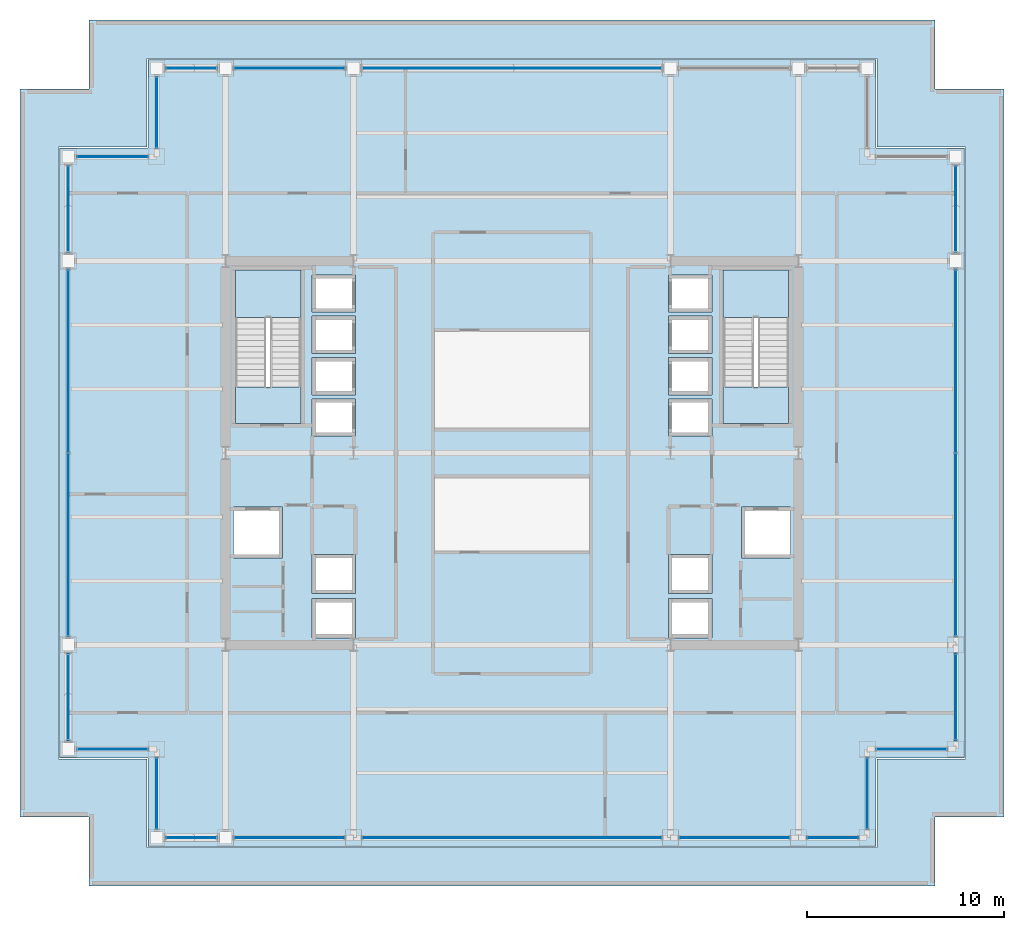
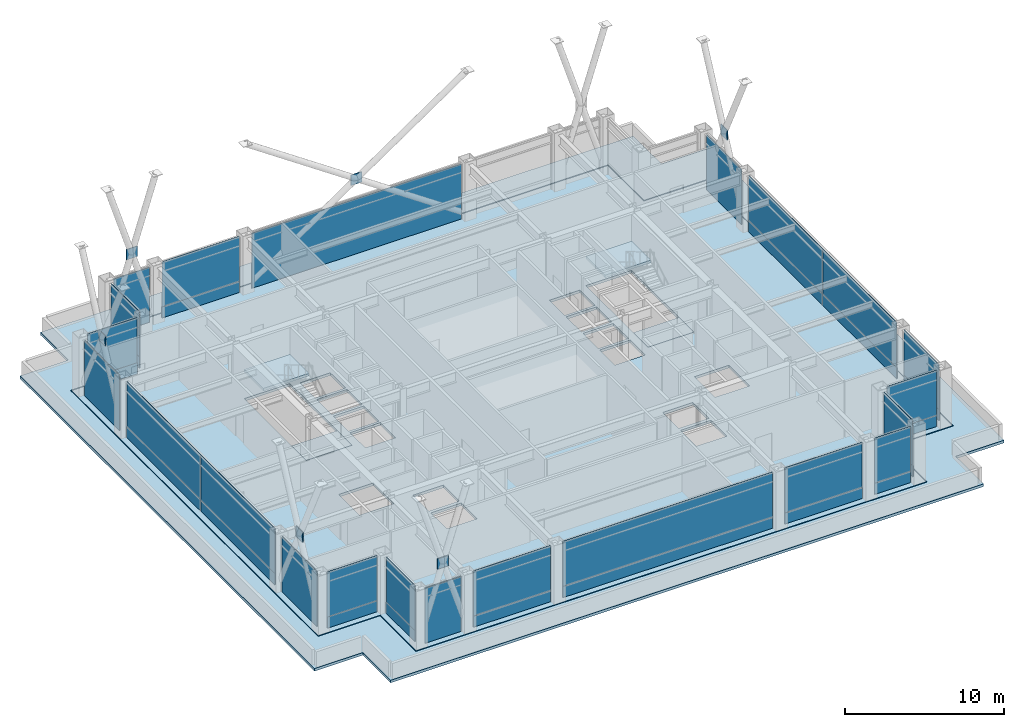
# One storey, part 27 of 32: 44 plates, 6 slabs, 22 elements without a shape of their own.
"""IFC4 building model written with IfcOpenShell, lengths in metres."""

from ifc_helpers import new_model, si_unit, direction, frame, origin, origin_2d, place, context, subcontext, project, spatial, polyline, rectangle, outline, extrude, material, layer, layer_set, type_object, element, aggregate, save


model = new_model("IFC4")

# Units and contexts
model_context = context("Model", 3, precision=1e-05, world=origin(), true_north=direction((0.0, 1.0)))
body_context = subcontext(model_context, "Body", "Model", "MODEL_VIEW")
ifc_project = project(units=[si_unit("LENGTHUNIT", "METRE"), si_unit("AREAUNIT", "SQUARE_METRE"), si_unit("VOLUMEUNIT", "CUBIC_METRE"), si_unit("PLANEANGLEUNIT", "RADIAN"), si_unit("MASSUNIT", "GRAM", prefix="KILO")], contexts=[model_context])

# Site, building, storey
site_placement = place(None, origin())
site = spatial("IfcSite", under=ifc_project, at=site_placement, CompositionType="ELEMENT")
building_placement = place(site_placement, origin())
building = spatial("IfcBuilding", under=site, at=building_placement, Name="Brelmoor Portico Tower", CompositionType="ELEMENT")
storey_placement = place(building_placement, frame((0.0, 0.0, 87.300048828125)))
storey = spatial("IfcBuildingStorey", under=building, at=storey_placement, Name="L22", CompositionType="ELEMENT", Elevation=87.300048828125)

# Curtain wall, plate
ifc_material_1 = material(Name="Anodised Aluminium Alloy 6063-T6", Category="aluminium")
ifc_layer_1 = layer(ifc_material_1, 0.179931640625)
ifc_layer_set_1 = layer_set([ifc_layer_1], Name="Anodised Aluminium Alloy 6063-T6")
curtain_wall_type_1 = type_object("IfcCurtainWallType", Name="CW-SKYLOBBY", PredefinedType="NOTDEFINED", material=ifc_layer_set_1)
curtain_wall_1_placement = place(storey_placement, origin())
curtain_wall_1 = element("IfcCurtainWall", 1, at=curtain_wall_1_placement, inside=storey, type_object=curtain_wall_type_1, Name="L22 Curtain Wall CW-L22-01-2", PredefinedType="NOTDEFINED")
ifc_material_2 = material(Name="Double-Silver Low-E Insulated Glazing", Category="glass")
ifc_layer_2 = layer(ifc_material_2, 0.035888671875)
ifc_layer_set_2 = layer_set([ifc_layer_2], Name="Double-Silver Low-E Insulated Glazing")
plate_type_1 = type_object("IfcPlateType", Name="PT-CW-GLASS", PredefinedType="CURTAIN_PANEL", material=ifc_layer_set_2)
plate_1_placement = place(storey_placement, frame((-11.300048828125, -19.550048828125, 0.85009765625), z_axis=(0.0, 0.0, 1.0), x_axis=(1.0, 0.0, 0.0)))
plate_1 = element("IfcPlate", 2, at=plate_1_placement, type_object=plate_type_1, Name="CW-L22-01-2 Vision Glass Panel 00", PredefinedType="CURTAIN_PANEL", context=body_context, shape_type="SweptSolid", body=[
    extrude(rectangle(XDim=5.60009765625, YDim=0.035888671875, at=origin_2d()), origin(), (0.0, 0.0, 1.0), 3.449951171875),
])

curtain_wall_2_placement = place(storey_placement, origin())
curtain_wall_2 = element("IfcCurtainWall", 3, at=curtain_wall_2_placement, inside=storey, type_object=curtain_wall_type_1, Name="L22 Curtain Wall CW-L22-01-3", PredefinedType="NOTDEFINED")
plate_2_placement = place(storey_placement, frame((0.0, -19.550048828125, 0.85009765625), z_axis=(0.0, 0.0, 1.0), x_axis=(1.0, 0.0, 0.0)))
plate_2 = element("IfcPlate", 4, at=plate_2_placement, type_object=plate_type_1, Name="CW-L22-01-3 Vision Glass Panel 00", PredefinedType="CURTAIN_PANEL", context=body_context, shape_type="SweptSolid", body=[
    extrude(rectangle(XDim=15.199951171875, YDim=0.035888671875, at=origin_2d()), origin(), (0.0, 0.0, 1.0), 3.449951171875),
])

curtain_wall_3_placement = place(storey_placement, origin())
curtain_wall_3 = element("IfcCurtainWall", 5, at=curtain_wall_3_placement, inside=storey, type_object=curtain_wall_type_1, Name="L22 Curtain Wall CW-L22-01-4", PredefinedType="NOTDEFINED")
plate_3_placement = place(storey_placement, frame((11.300048828125, -19.550048828125, 0.85009765625), z_axis=(0.0, 0.0, 1.0), x_axis=(1.0, 0.0, 0.0)))
plate_3 = element("IfcPlate", 6, at=plate_3_placement, type_object=plate_type_1, Name="CW-L22-01-4 Vision Glass Panel 00", PredefinedType="CURTAIN_PANEL", context=body_context, shape_type="SweptSolid", body=[
    extrude(rectangle(XDim=5.60009765625, YDim=0.035888671875, at=origin_2d()), origin(), (0.0, 0.0, 1.0), 3.449951171875),
])

curtain_wall_4_placement = place(storey_placement, origin())
curtain_wall_4 = element("IfcCurtainWall", 7, at=curtain_wall_4_placement, inside=storey, type_object=curtain_wall_type_1, Name="L22 Curtain Wall CW-L22-01-5", PredefinedType="NOTDEFINED")
plate_4_placement = place(storey_placement, frame((16.300048828125, -19.550048828125, 0.85009765625), z_axis=(0.0, 0.0, 1.0), x_axis=(1.0, 0.0, 0.0)))
plate_4 = element("IfcPlate", 8, at=plate_4_placement, type_object=plate_type_1, Name="CW-L22-01-5 Vision Glass Panel 00", PredefinedType="CURTAIN_PANEL", context=body_context, shape_type="SweptSolid", body=[
    extrude(rectangle(XDim=2.60009765625, YDim=0.035888671875, at=origin_2d()), origin(), (0.0, 0.0, 1.0), 3.449951171875),
])

curtain_wall_5_placement = place(storey_placement, origin())
curtain_wall_5 = element("IfcCurtainWall", 9, at=curtain_wall_5_placement, inside=storey, type_object=curtain_wall_type_1, Name="L22 Curtain Wall CW-L22-02-2", PredefinedType="NOTDEFINED")
plate_5_placement = place(storey_placement, frame((-11.300048828125, 19.550048828125, 0.85009765625), z_axis=(0.0, 0.0, 1.0), x_axis=(1.0, 0.0, 0.0)))
plate_5 = element("IfcPlate", 10, at=plate_5_placement, type_object=plate_type_1, Name="CW-L22-02-2 Vision Glass Panel 00", PredefinedType="CURTAIN_PANEL", context=body_context, shape_type="SweptSolid", body=[
    extrude(rectangle(XDim=5.60009765625, YDim=0.035888671875, at=origin_2d()), origin(), (0.0, 0.0, 1.0), 3.449951171875),
])

# Curtain wall, plates
curtain_wall_6_placement = place(storey_placement, origin())
curtain_wall_6 = element("IfcCurtainWall", 11, at=curtain_wall_6_placement, inside=storey, type_object=curtain_wall_type_1, Name="L22 Curtain Wall CW-L22-03-2", PredefinedType="NOTDEFINED")
plate_6_placement = place(storey_placement, frame((-22.550048828125, -4.657470703125, 0.85009765625), z_axis=(0.0, 0.0, 1.0), x_axis=(0.0, 1.0, 0.0)))
plate_6 = element("IfcPlate", 12, at=plate_6_placement, type_object=plate_type_1, Name="CW-L22-03-2 Vision Glass Panel 00", PredefinedType="CURTAIN_PANEL", context=body_context, shape_type="SweptSolid", body=[
    extrude(rectangle(XDim=9.284912109375, YDim=0.035888671875, at=origin_2d()), origin(), (0.0, 0.0, 1.0), 3.449951171875),
])
plate_7_placement = place(storey_placement, frame((-22.550048828125, 4.657470703125, 0.85009765625), z_axis=(0.0, 0.0, 1.0), x_axis=(0.0, 1.0, 0.0)))
plate_7 = element("IfcPlate", 13, at=plate_7_placement, type_object=plate_type_1, Name="CW-L22-03-2 Vision Glass Panel 01", PredefinedType="CURTAIN_PANEL", context=body_context, shape_type="SweptSolid", body=[
    extrude(rectangle(XDim=9.284912109375, YDim=0.035888671875, at=origin_2d()), origin(), (0.0, 0.0, 1.0), 3.449951171875),
])

# Curtain wall, plate
curtain_wall_7_placement = place(storey_placement, origin())
curtain_wall_7 = element("IfcCurtainWall", 14, at=curtain_wall_7_placement, inside=storey, type_object=curtain_wall_type_1, Name="L22 Curtain Wall CW-L22-04-1", PredefinedType="NOTDEFINED")
plate_8_placement = place(storey_placement, frame((22.550048828125, -12.39990234375, 0.85009765625), z_axis=(0.0, 0.0, 1.0), x_axis=(0.0, 1.0, 0.0)))
plate_8 = element("IfcPlate", 15, at=plate_8_placement, type_object=plate_type_1, Name="CW-L22-04-1 Vision Glass Panel 00", PredefinedType="CURTAIN_PANEL", context=body_context, shape_type="SweptSolid", body=[
    extrude(rectangle(XDim=4.39990234375, YDim=0.035888671875, at=origin_2d()), origin(), (0.0, 0.0, 1.0), 3.449951171875),
])

# Curtain wall, plates
curtain_wall_8_placement = place(storey_placement, origin())
curtain_wall_8 = element("IfcCurtainWall", 16, at=curtain_wall_8_placement, inside=storey, type_object=curtain_wall_type_1, Name="L22 Curtain Wall CW-L22-04-2", PredefinedType="NOTDEFINED")
plate_9_placement = place(storey_placement, frame((22.550048828125, -4.657470703125, 0.85009765625), z_axis=(0.0, 0.0, 1.0), x_axis=(0.0, 1.0, 0.0)))
plate_9 = element("IfcPlate", 17, at=plate_9_placement, type_object=plate_type_1, Name="CW-L22-04-2 Vision Glass Panel 00", PredefinedType="CURTAIN_PANEL", context=body_context, shape_type="SweptSolid", body=[
    extrude(rectangle(XDim=9.284912109375, YDim=0.035888671875, at=origin_2d()), origin(), (0.0, 0.0, 1.0), 3.449951171875),
])
plate_10_placement = place(storey_placement, frame((22.550048828125, 4.657470703125, 0.85009765625), z_axis=(0.0, 0.0, 1.0), x_axis=(0.0, 1.0, 0.0)))
plate_10 = element("IfcPlate", 18, at=plate_10_placement, type_object=plate_type_1, Name="CW-L22-04-2 Vision Glass Panel 01", PredefinedType="CURTAIN_PANEL", context=body_context, shape_type="SweptSolid", body=[
    extrude(rectangle(XDim=9.284912109375, YDim=0.035888671875, at=origin_2d()), origin(), (0.0, 0.0, 1.0), 3.449951171875),
])

# Curtain wall, plate
ifc_layer_3 = layer(ifc_material_1, 0.179931640625)
ifc_layer_set_3 = layer_set([ifc_layer_3], Name="Anodised Aluminium Alloy 6063-T6")
curtain_wall_type_2 = type_object("IfcCurtainWallType", Name="CW-NOTCH-CHAMFER", PredefinedType="NOTDEFINED", material=ifc_layer_set_3)
curtain_wall_9_placement = place(storey_placement, origin())
curtain_wall_9 = element("IfcCurtainWall", 19, at=curtain_wall_9_placement, inside=storey, type_object=curtain_wall_type_2, Name="L22 Curtain Wall CWN-L22-SWH", PredefinedType="NOTDEFINED")
plate_11_placement = place(storey_placement, frame((-20.300048828125, -15.050048828125, 0.85009765625), z_axis=(0.0, 0.0, 1.0), x_axis=(1.0, 0.0, 0.0)))
plate_11 = element("IfcPlate", 20, at=plate_11_placement, type_object=plate_type_1, Name="CWN-L22-SWH Vision Glass Panel 00", PredefinedType="CURTAIN_PANEL", context=body_context, shape_type="SweptSolid", body=[
    extrude(rectangle(XDim=3.60009765625, YDim=0.035888671875, at=origin_2d()), origin(), (0.0, 0.0, 1.0), 3.449951171875),
])

curtain_wall_10_placement = place(storey_placement, origin())
curtain_wall_10 = element("IfcCurtainWall", 21, at=curtain_wall_10_placement, inside=storey, type_object=curtain_wall_type_2, Name="L22 Curtain Wall CWN-L22-SWV", PredefinedType="NOTDEFINED")
plate_12_placement = place(storey_placement, frame((-18.050048828125, -17.300048828125, 0.85009765625), z_axis=(0.0, 0.0, 1.0), x_axis=(0.0, 1.0, 0.0)))
plate_12 = element("IfcPlate", 22, at=plate_12_placement, type_object=plate_type_1, Name="CWN-L22-SWV Vision Glass Panel 00", PredefinedType="CURTAIN_PANEL", context=body_context, shape_type="SweptSolid", body=[
    extrude(rectangle(XDim=3.60009765625, YDim=0.035888671875, at=origin_2d()), origin(), (0.0, 0.0, 1.0), 3.449951171875),
])

curtain_wall_11_placement = place(storey_placement, origin())
curtain_wall_11 = element("IfcCurtainWall", 23, at=curtain_wall_11_placement, inside=storey, type_object=curtain_wall_type_2, Name="L22 Curtain Wall CWN-L22-SEH", PredefinedType="NOTDEFINED")
plate_13_placement = place(storey_placement, frame((20.300048828125, -15.050048828125, 0.85009765625), z_axis=(0.0, 0.0, 1.0), x_axis=(1.0, 0.0, 0.0)))
plate_13 = element("IfcPlate", 24, at=plate_13_placement, type_object=plate_type_1, Name="CWN-L22-SEH Vision Glass Panel 00", PredefinedType="CURTAIN_PANEL", context=body_context, shape_type="SweptSolid", body=[
    extrude(rectangle(XDim=3.60009765625, YDim=0.035888671875, at=origin_2d()), origin(), (0.0, 0.0, 1.0), 3.449951171875),
])

curtain_wall_12_placement = place(storey_placement, origin())
curtain_wall_12 = element("IfcCurtainWall", 25, at=curtain_wall_12_placement, inside=storey, type_object=curtain_wall_type_2, Name="L22 Curtain Wall CWN-L22-SEV", PredefinedType="NOTDEFINED")
plate_14_placement = place(storey_placement, frame((18.050048828125, -17.300048828125, 0.85009765625), z_axis=(0.0, 0.0, 1.0), x_axis=(0.0, 1.0, 0.0)))
plate_14 = element("IfcPlate", 26, at=plate_14_placement, type_object=plate_type_1, Name="CWN-L22-SEV Vision Glass Panel 00", PredefinedType="CURTAIN_PANEL", context=body_context, shape_type="SweptSolid", body=[
    extrude(rectangle(XDim=3.60009765625, YDim=0.035888671875, at=origin_2d()), origin(), (0.0, 0.0, 1.0), 3.449951171875),
])

curtain_wall_13_placement = place(storey_placement, origin())
curtain_wall_13 = element("IfcCurtainWall", 27, at=curtain_wall_13_placement, inside=storey, type_object=curtain_wall_type_2, Name="L22 Curtain Wall CWN-L22-NWH", PredefinedType="NOTDEFINED")
plate_15_placement = place(storey_placement, frame((-20.300048828125, 15.050048828125, 0.85009765625), z_axis=(0.0, 0.0, 1.0), x_axis=(1.0, 0.0, 0.0)))
plate_15 = element("IfcPlate", 28, at=plate_15_placement, type_object=plate_type_1, Name="CWN-L22-NWH Vision Glass Panel 00", PredefinedType="CURTAIN_PANEL", context=body_context, shape_type="SweptSolid", body=[
    extrude(rectangle(XDim=3.60009765625, YDim=0.035888671875, at=origin_2d()), origin(), (0.0, 0.0, 1.0), 3.449951171875),
])

curtain_wall_14_placement = place(storey_placement, origin())
curtain_wall_14 = element("IfcCurtainWall", 29, at=curtain_wall_14_placement, inside=storey, type_object=curtain_wall_type_2, Name="L22 Curtain Wall CWN-L22-NWV", PredefinedType="NOTDEFINED")
plate_16_placement = place(storey_placement, frame((-18.050048828125, 17.300048828125, 0.85009765625), z_axis=(0.0, 0.0, 1.0), x_axis=(0.0, 1.0, 0.0)))
plate_16 = element("IfcPlate", 30, at=plate_16_placement, type_object=plate_type_1, Name="CWN-L22-NWV Vision Glass Panel 00", PredefinedType="CURTAIN_PANEL", context=body_context, shape_type="SweptSolid", body=[
    extrude(rectangle(XDim=3.60009765625, YDim=0.035888671875, at=origin_2d()), origin(), (0.0, 0.0, 1.0), 3.449951171875),
])

ifc_layer_4 = layer(ifc_material_1, 0.179931640625)
ifc_layer_set_4 = layer_set([ifc_layer_4], Name="Anodised Aluminium Alloy 6063-T6")
curtain_wall_type_3 = type_object("IfcCurtainWallType", Name="CW-SKYLOBBY-XB", PredefinedType="NOTDEFINED", material=ifc_layer_set_4)
curtain_wall_15_placement = place(storey_placement, origin())
curtain_wall_15 = element("IfcCurtainWall", 31, at=curtain_wall_15_placement, inside=storey, type_object=curtain_wall_type_3, Name="L22 Curtain Wall CW-L22-01-1", PredefinedType="NOTDEFINED")
ifc_material_3 = material(Name="Pale Champagne Anodised Aluminium Panel", Category="aluminium")
ifc_layer_5 = layer(ifc_material_3, 0.050048828125)
ifc_layer_set_5 = layer_set([ifc_layer_5], Name="Pale Champagne Anodised Aluminium Panel")
plate_type_2 = type_object("IfcPlateType", Name="PT-CW-SPANDREL", PredefinedType="SHEET", material=ifc_layer_set_5)
plate_17_placement = place(storey_placement, frame((-16.300048828125, -19.550048828125, 0.0), z_axis=(0.0, 0.0, 1.0), x_axis=(1.0, 0.0, 0.0)))
plate_17 = element("IfcPlate", 32, at=plate_17_placement, type_object=plate_type_2, Name="CW-L22-01-1 Spandrel Panel 00", PredefinedType="SHEET", context=body_context, shape_type="SweptSolid", body=[
    extrude(rectangle(XDim=2.60009765625, YDim=0.050048828125, at=origin_2d()), origin(), (0.0, 0.0, 1.0), 4.219970703125),
])
aggregate(curtain_wall_15, [plate_17])

# Plate
plate_18_placement = place(storey_placement, frame((-11.300048828125, -19.550048828125, 0.0), z_axis=(0.0, 0.0, 1.0), x_axis=(1.0, 0.0, 0.0)))
plate_18 = element("IfcPlate", 33, at=plate_18_placement, type_object=plate_type_2, Name="CW-L22-01-2 Spandrel Panel 00", PredefinedType="SHEET", context=body_context, shape_type="SweptSolid", body=[
    extrude(rectangle(XDim=5.60009765625, YDim=0.050048828125, at=origin_2d()), origin(), (0.0, 0.0, 1.0), 0.85009765625),
])

aggregate(curtain_wall_1, [plate_18, plate_1])

plate_19_placement = place(storey_placement, frame((0.0, -19.550048828125, 0.0), z_axis=(0.0, 0.0, 1.0), x_axis=(1.0, 0.0, 0.0)))
plate_19 = element("IfcPlate", 34, at=plate_19_placement, type_object=plate_type_2, Name="CW-L22-01-3 Spandrel Panel 00", PredefinedType="SHEET", context=body_context, shape_type="SweptSolid", body=[
    extrude(rectangle(XDim=15.199951171875, YDim=0.050048828125, at=origin_2d()), origin(), (0.0, 0.0, 1.0), 0.85009765625),
])

aggregate(curtain_wall_2, [plate_19, plate_2])

plate_20_placement = place(storey_placement, frame((11.300048828125, -19.550048828125, 0.0), z_axis=(0.0, 0.0, 1.0), x_axis=(1.0, 0.0, 0.0)))
plate_20 = element("IfcPlate", 35, at=plate_20_placement, type_object=plate_type_2, Name="CW-L22-01-4 Spandrel Panel 00", PredefinedType="SHEET", context=body_context, shape_type="SweptSolid", body=[
    extrude(rectangle(XDim=5.60009765625, YDim=0.050048828125, at=origin_2d()), origin(), (0.0, 0.0, 1.0), 0.85009765625),
])

aggregate(curtain_wall_3, [plate_20, plate_3])

plate_21_placement = place(storey_placement, frame((16.300048828125, -19.550048828125, 0.0), z_axis=(0.0, 0.0, 1.0), x_axis=(1.0, 0.0, 0.0)))
plate_21 = element("IfcPlate", 36, at=plate_21_placement, type_object=plate_type_2, Name="CW-L22-01-5 Spandrel Panel 00", PredefinedType="SHEET", context=body_context, shape_type="SweptSolid", body=[
    extrude(rectangle(XDim=2.60009765625, YDim=0.050048828125, at=origin_2d()), origin(), (0.0, 0.0, 1.0), 0.85009765625),
])

aggregate(curtain_wall_4, [plate_21, plate_4])

# Curtain wall, plate
curtain_wall_16_placement = place(storey_placement, origin())
curtain_wall_16 = element("IfcCurtainWall", 37, at=curtain_wall_16_placement, inside=storey, type_object=curtain_wall_type_3, Name="L22 Curtain Wall CW-L22-02-1", PredefinedType="NOTDEFINED")
plate_22_placement = place(storey_placement, frame((-16.300048828125, 19.550048828125, 0.0), z_axis=(0.0, 0.0, 1.0), x_axis=(1.0, 0.0, 0.0)))
plate_22 = element("IfcPlate", 38, at=plate_22_placement, type_object=plate_type_2, Name="CW-L22-02-1 Spandrel Panel 00", PredefinedType="SHEET", context=body_context, shape_type="SweptSolid", body=[
    extrude(rectangle(XDim=2.60009765625, YDim=0.050048828125, at=origin_2d()), origin(), (0.0, 0.0, 1.0), 4.219970703125),
])
aggregate(curtain_wall_16, [plate_22])

# Plate
plate_23_placement = place(storey_placement, frame((-11.300048828125, 19.550048828125, 0.0), z_axis=(0.0, 0.0, 1.0), x_axis=(1.0, 0.0, 0.0)))
plate_23 = element("IfcPlate", 39, at=plate_23_placement, type_object=plate_type_2, Name="CW-L22-02-2 Spandrel Panel 00", PredefinedType="SHEET", context=body_context, shape_type="SweptSolid", body=[
    extrude(rectangle(XDim=5.60009765625, YDim=0.050048828125, at=origin_2d()), origin(), (0.0, 0.0, 1.0), 0.85009765625),
])

aggregate(curtain_wall_5, [plate_23, plate_5])

# Curtain wall, plate
curtain_wall_17_placement = place(storey_placement, origin())
curtain_wall_17 = element("IfcCurtainWall", 40, at=curtain_wall_17_placement, inside=storey, type_object=curtain_wall_type_3, Name="L22 Curtain Wall CW-L22-02-3", PredefinedType="NOTDEFINED")
plate_24_placement = place(storey_placement, frame((0.0, 19.550048828125, 0.0), z_axis=(0.0, 0.0, 1.0), x_axis=(1.0, 0.0, 0.0)))
plate_24 = element("IfcPlate", 41, at=plate_24_placement, type_object=plate_type_2, Name="CW-L22-02-3 Spandrel Panel 00", PredefinedType="SHEET", context=body_context, shape_type="SweptSolid", body=[
    extrude(rectangle(XDim=15.199951171875, YDim=0.050048828125, at=origin_2d()), origin(), (0.0, 0.0, 1.0), 4.219970703125),
])
aggregate(curtain_wall_17, [plate_24])

curtain_wall_18_placement = place(storey_placement, origin())
curtain_wall_18 = element("IfcCurtainWall", 42, at=curtain_wall_18_placement, inside=storey, type_object=curtain_wall_type_3, Name="L22 Curtain Wall CW-L22-03-1", PredefinedType="NOTDEFINED")
plate_25_placement = place(storey_placement, frame((-22.550048828125, -12.39990234375, 0.0), z_axis=(0.0, 0.0, 1.0), x_axis=(0.0, 1.0, 0.0)))
plate_25 = element("IfcPlate", 43, at=plate_25_placement, type_object=plate_type_2, Name="CW-L22-03-1 Spandrel Panel 00", PredefinedType="SHEET", context=body_context, shape_type="SweptSolid", body=[
    extrude(rectangle(XDim=4.39990234375, YDim=0.050048828125, at=origin_2d()), origin(), (0.0, 0.0, 1.0), 4.219970703125),
])
aggregate(curtain_wall_18, [plate_25])

# Plate
plate_26_placement = place(storey_placement, frame((-22.550048828125, -4.657470703125, 0.0), z_axis=(0.0, 0.0, 1.0), x_axis=(0.0, 1.0, 0.0)))
plate_26 = element("IfcPlate", 44, at=plate_26_placement, type_object=plate_type_2, Name="CW-L22-03-2 Spandrel Panel 00", PredefinedType="SHEET", context=body_context, shape_type="SweptSolid", body=[
    extrude(rectangle(XDim=9.284912109375, YDim=0.050048828125, at=origin_2d()), origin(), (0.0, 0.0, 1.0), 0.85009765625),
])

plate_27_placement = place(storey_placement, frame((-22.550048828125, 4.657470703125, 0.0), z_axis=(0.0, 0.0, 1.0), x_axis=(0.0, 1.0, 0.0)))
plate_27 = element("IfcPlate", 45, at=plate_27_placement, type_object=plate_type_2, Name="CW-L22-03-2 Spandrel Panel 01", PredefinedType="SHEET", context=body_context, shape_type="SweptSolid", body=[
    extrude(rectangle(XDim=9.284912109375, YDim=0.050048828125, at=origin_2d()), origin(), (0.0, 0.0, 1.0), 0.85009765625),
])

aggregate(curtain_wall_6, [plate_26, plate_6, plate_27, plate_7])

# Curtain wall, plate
curtain_wall_19_placement = place(storey_placement, origin())
curtain_wall_19 = element("IfcCurtainWall", 46, at=curtain_wall_19_placement, inside=storey, type_object=curtain_wall_type_3, Name="L22 Curtain Wall CW-L22-03-3", PredefinedType="NOTDEFINED")
plate_28_placement = place(storey_placement, frame((-22.550048828125, 12.39990234375, 0.0), z_axis=(0.0, 0.0, 1.0), x_axis=(0.0, 1.0, 0.0)))
plate_28 = element("IfcPlate", 47, at=plate_28_placement, type_object=plate_type_2, Name="CW-L22-03-3 Spandrel Panel 00", PredefinedType="SHEET", context=body_context, shape_type="SweptSolid", body=[
    extrude(rectangle(XDim=4.39990234375, YDim=0.050048828125, at=origin_2d()), origin(), (0.0, 0.0, 1.0), 4.219970703125),
])
aggregate(curtain_wall_19, [plate_28])

# Plate
plate_29_placement = place(storey_placement, frame((22.550048828125, -12.39990234375, 0.0), z_axis=(0.0, 0.0, 1.0), x_axis=(0.0, 1.0, 0.0)))
plate_29 = element("IfcPlate", 48, at=plate_29_placement, type_object=plate_type_2, Name="CW-L22-04-1 Spandrel Panel 00", PredefinedType="SHEET", context=body_context, shape_type="SweptSolid", body=[
    extrude(rectangle(XDim=4.39990234375, YDim=0.050048828125, at=origin_2d()), origin(), (0.0, 0.0, 1.0), 0.85009765625),
])

aggregate(curtain_wall_7, [plate_29, plate_8])

plate_30_placement = place(storey_placement, frame((22.550048828125, -4.657470703125, 0.0), z_axis=(0.0, 0.0, 1.0), x_axis=(0.0, 1.0, 0.0)))
plate_30 = element("IfcPlate", 49, at=plate_30_placement, type_object=plate_type_2, Name="CW-L22-04-2 Spandrel Panel 00", PredefinedType="SHEET", context=body_context, shape_type="SweptSolid", body=[
    extrude(rectangle(XDim=9.284912109375, YDim=0.050048828125, at=origin_2d()), origin(), (0.0, 0.0, 1.0), 0.85009765625),
])

plate_31_placement = place(storey_placement, frame((22.550048828125, 4.657470703125, 0.0), z_axis=(0.0, 0.0, 1.0), x_axis=(0.0, 1.0, 0.0)))
plate_31 = element("IfcPlate", 50, at=plate_31_placement, type_object=plate_type_2, Name="CW-L22-04-2 Spandrel Panel 01", PredefinedType="SHEET", context=body_context, shape_type="SweptSolid", body=[
    extrude(rectangle(XDim=9.284912109375, YDim=0.050048828125, at=origin_2d()), origin(), (0.0, 0.0, 1.0), 0.85009765625),
])

aggregate(curtain_wall_8, [plate_30, plate_9, plate_31, plate_10])

# Curtain wall, plate
curtain_wall_20_placement = place(storey_placement, origin())
curtain_wall_20 = element("IfcCurtainWall", 51, at=curtain_wall_20_placement, inside=storey, type_object=curtain_wall_type_3, Name="L22 Curtain Wall CW-L22-04-3", PredefinedType="NOTDEFINED")
plate_32_placement = place(storey_placement, frame((22.550048828125, 12.39990234375, 0.0), z_axis=(0.0, 0.0, 1.0), x_axis=(0.0, 1.0, 0.0)))
plate_32 = element("IfcPlate", 52, at=plate_32_placement, type_object=plate_type_2, Name="CW-L22-04-3 Spandrel Panel 00", PredefinedType="SHEET", context=body_context, shape_type="SweptSolid", body=[
    extrude(rectangle(XDim=4.39990234375, YDim=0.050048828125, at=origin_2d()), origin(), (0.0, 0.0, 1.0), 4.219970703125),
])
aggregate(curtain_wall_20, [plate_32])

# Plate
plate_33_placement = place(storey_placement, frame((-20.300048828125, -15.050048828125, 0.0), z_axis=(0.0, 0.0, 1.0), x_axis=(1.0, 0.0, 0.0)))
plate_33 = element("IfcPlate", 53, at=plate_33_placement, type_object=plate_type_2, Name="CWN-L22-SWH Spandrel Panel 00", PredefinedType="SHEET", context=body_context, shape_type="SweptSolid", body=[
    extrude(rectangle(XDim=3.60009765625, YDim=0.050048828125, at=origin_2d()), origin(), (0.0, 0.0, 1.0), 0.85009765625),
])

aggregate(curtain_wall_9, [plate_33, plate_11])

plate_34_placement = place(storey_placement, frame((-18.050048828125, -17.300048828125, 0.0), z_axis=(0.0, 0.0, 1.0), x_axis=(0.0, 1.0, 0.0)))
plate_34 = element("IfcPlate", 54, at=plate_34_placement, type_object=plate_type_2, Name="CWN-L22-SWV Spandrel Panel 00", PredefinedType="SHEET", context=body_context, shape_type="SweptSolid", body=[
    extrude(rectangle(XDim=3.60009765625, YDim=0.050048828125, at=origin_2d()), origin(), (0.0, 0.0, 1.0), 0.85009765625),
])

aggregate(curtain_wall_10, [plate_34, plate_12])

plate_35_placement = place(storey_placement, frame((20.300048828125, -15.050048828125, 0.0), z_axis=(0.0, 0.0, 1.0), x_axis=(1.0, 0.0, 0.0)))
plate_35 = element("IfcPlate", 55, at=plate_35_placement, type_object=plate_type_2, Name="CWN-L22-SEH Spandrel Panel 00", PredefinedType="SHEET", context=body_context, shape_type="SweptSolid", body=[
    extrude(rectangle(XDim=3.60009765625, YDim=0.050048828125, at=origin_2d()), origin(), (0.0, 0.0, 1.0), 0.85009765625),
])

aggregate(curtain_wall_11, [plate_35, plate_13])

plate_36_placement = place(storey_placement, frame((18.050048828125, -17.300048828125, 0.0), z_axis=(0.0, 0.0, 1.0), x_axis=(0.0, 1.0, 0.0)))
plate_36 = element("IfcPlate", 56, at=plate_36_placement, type_object=plate_type_2, Name="CWN-L22-SEV Spandrel Panel 00", PredefinedType="SHEET", context=body_context, shape_type="SweptSolid", body=[
    extrude(rectangle(XDim=3.60009765625, YDim=0.050048828125, at=origin_2d()), origin(), (0.0, 0.0, 1.0), 0.85009765625),
])

aggregate(curtain_wall_12, [plate_36, plate_14])

plate_37_placement = place(storey_placement, frame((-20.300048828125, 15.050048828125, 0.0), z_axis=(0.0, 0.0, 1.0), x_axis=(1.0, 0.0, 0.0)))
plate_37 = element("IfcPlate", 57, at=plate_37_placement, type_object=plate_type_2, Name="CWN-L22-NWH Spandrel Panel 00", PredefinedType="SHEET", context=body_context, shape_type="SweptSolid", body=[
    extrude(rectangle(XDim=3.60009765625, YDim=0.050048828125, at=origin_2d()), origin(), (0.0, 0.0, 1.0), 0.85009765625),
])

aggregate(curtain_wall_13, [plate_37, plate_15])

plate_38_placement = place(storey_placement, frame((-18.050048828125, 17.300048828125, 0.0), z_axis=(0.0, 0.0, 1.0), x_axis=(0.0, 1.0, 0.0)))
plate_38 = element("IfcPlate", 58, at=plate_38_placement, type_object=plate_type_2, Name="CWN-L22-NWV Spandrel Panel 00", PredefinedType="SHEET", context=body_context, shape_type="SweptSolid", body=[
    extrude(rectangle(XDim=3.60009765625, YDim=0.050048828125, at=origin_2d()), origin(), (0.0, 0.0, 1.0), 0.85009765625),
])

aggregate(curtain_wall_14, [plate_38, plate_16])

# Plates
ifc_material_4 = material(Name="Steel Q355B", Category="steel")
ifc_layer_6 = layer(ifc_material_4, 0.050048828125)
ifc_layer_set_6 = layer_set([ifc_layer_6], Name="Steel Q355B")
plate_type_3 = type_object("IfcPlateType", Name="PT-GUSSET-800", PredefinedType="USERDEFINED", material=ifc_layer_set_6)
for number, where, z_axis, x_axis, name in (
    (59, (-16.300048828125, -19.550048828125, 5.35009765625), (0.0, 0.0, 1.0), (1.0, 0.0, 0.0), "L22 Perimeter Mega-Brace Gusset 043"),
    (60, (-16.300048828125, 19.550048828125, 5.35009765625), (0.0, 0.0, 1.0), (1.0, 0.0, 0.0), "L22 Perimeter Mega-Brace Gusset 044"),
    (61, (0.0, 19.550048828125, 5.35009765625), (0.0, 0.0, 1.0), (1.0, 0.0, 0.0), "L22 Perimeter Mega-Brace Gusset 045"),
):
    element("IfcPlate", number, at=place(storey_placement, frame(where, z_axis=z_axis, x_axis=x_axis)), inside=storey, type_object=plate_type_3, Name=name, ObjectType="GUSSET PLATE", PredefinedType="USERDEFINED", context=body_context, shape_type="SweptSolid", body=[
        extrude(rectangle(XDim=0.800048828125, YDim=0.050048828125, at=origin_2d()), origin(), (0.0, 0.0, 1.0), 0.800048828125),
    ])
for number, where, z_axis, x_axis, name in (
    (62, (-22.550048828125, -12.39990234375, 5.35009765625), (0.0, 0.0, 1.0), (1.0, 0.0, 0.0), "L22 Perimeter Mega-Brace Gusset 047"),
    (63, (-22.550048828125, 12.39990234375, 5.35009765625), (0.0, 0.0, 1.0), (1.0, 0.0, 0.0), "L22 Perimeter Mega-Brace Gusset 048"),
    (64, (22.550048828125, 12.39990234375, 5.35009765625), (0.0, 0.0, 1.0), (1.0, 0.0, 0.0), "L22 Perimeter Mega-Brace Gusset 049"),
):
    element("IfcPlate", number, at=place(storey_placement, frame(where, z_axis=z_axis, x_axis=x_axis)), inside=storey, type_object=plate_type_3, Name=name, ObjectType="GUSSET PLATE", PredefinedType="USERDEFINED", context=body_context, shape_type="SweptSolid", body=[
        extrude(rectangle(XDim=0.050048828125, YDim=0.800048828125, at=origin_2d()), origin(), (0.0, 0.0, 1.0), 0.800048828125),
    ])

# Slab
ifc_material_5 = material(Name="Concrete C40", Category="concrete")
ifc_layer_7 = layer(ifc_material_5, 0.199951171875)
ifc_layer_set_7 = layer_set([ifc_layer_7], Name="Concrete C40")
slab_type_1 = type_object("IfcSlabType", Name="SL-FLOOR-200", PredefinedType="FLOOR", material=ifc_layer_set_7)
slab_1_placement = place(storey_placement, frame((0.0, 0.0, -0.199951171875)))
element("IfcSlab", 65, at=slab_1_placement, inside=storey, type_object=slab_type_1, Name="L22 Main Structural Floor Slab", PredefinedType="FLOOR", context=body_context, shape_type="SweptSolid", body=[
    extrude(outline(polyline([(-18.5, -20.0), (18.5, -20.0), (18.5, -15.5), (23.0, -15.5), (23.0, 15.5), (18.5, 15.5), (18.5, 20.0), (-18.5, 20.0), (-18.5, 15.5), (-23.0, 15.5), (-23.0, -15.5), (-18.5, -15.5), (-18.5, -20.0)]), holes=[polyline([(-10.72998046875, 1.5), (-10.72998046875, 9.300048828125), (-14.050048828125, 9.300048828125), (-14.050048828125, 1.5), (-10.72998046875, 1.5)]), polyline([(14.050048828125, 1.5), (14.050048828125, 9.300048828125), (10.72998046875, 9.300048828125), (10.72998046875, 1.5), (14.050048828125, 1.5)]), polyline([(-10.14990234375, 0.85009765625), (-7.949951171875, 0.85009765625), (-7.949951171875, 2.75), (-10.14990234375, 2.75), (-10.14990234375, 0.85009765625)]), polyline([(-10.14990234375, 2.949951171875), (-7.949951171875, 2.949951171875), (-7.949951171875, 4.85009765625), (-10.14990234375, 4.85009765625), (-10.14990234375, 2.949951171875)]), polyline([(-10.14990234375, 5.050048828125), (-7.949951171875, 5.050048828125), (-7.949951171875, 6.949951171875), (-10.14990234375, 6.949951171875), (-10.14990234375, 5.050048828125)]), polyline([(-10.14990234375, 7.14990234375), (-7.949951171875, 7.14990234375), (-7.949951171875, 9.050048828125), (-10.14990234375, 9.050048828125), (-10.14990234375, 7.14990234375)]), polyline([(7.949951171875, 0.85009765625), (10.14990234375, 0.85009765625), (10.14990234375, 2.75), (7.949951171875, 2.75), (7.949951171875, 0.85009765625)]), polyline([(7.949951171875, 2.949951171875), (10.14990234375, 2.949951171875), (10.14990234375, 4.85009765625), (7.949951171875, 4.85009765625), (7.949951171875, 2.949951171875)]), polyline([(7.949951171875, 5.050048828125), (10.14990234375, 5.050048828125), (10.14990234375, 6.949951171875), (7.949951171875, 6.949951171875), (7.949951171875, 5.050048828125)]), polyline([(7.949951171875, 7.14990234375), (10.14990234375, 7.14990234375), (10.14990234375, 9.050048828125), (7.949951171875, 9.050048828125), (7.949951171875, 7.14990234375)]), polyline([(-10.14990234375, -9.39990234375), (-7.949951171875, -9.39990234375), (-7.949951171875, -7.39990234375), (-10.14990234375, -7.39990234375), (-10.14990234375, -9.39990234375)]), polyline([(-10.14990234375, -7.14990234375), (-7.949951171875, -7.14990234375), (-7.949951171875, -5.14990234375), (-10.14990234375, -5.14990234375), (-10.14990234375, -7.14990234375)]), polyline([(7.949951171875, -9.39990234375), (10.14990234375, -9.39990234375), (10.14990234375, -7.39990234375), (7.949951171875, -7.39990234375), (7.949951171875, -9.39990234375)]), polyline([(7.949951171875, -7.14990234375), (10.14990234375, -7.14990234375), (10.14990234375, -5.14990234375), (7.949951171875, -5.14990234375), (7.949951171875, -7.14990234375)]), polyline([(-14.14990234375, -5.35009765625), (-11.64990234375, -5.35009765625), (-11.64990234375, -2.75), (-14.14990234375, -2.75), (-14.14990234375, -5.35009765625)]), polyline([(11.64990234375, -5.35009765625), (14.14990234375, -5.35009765625), (14.14990234375, -2.75), (11.64990234375, -2.75), (11.64990234375, -5.35009765625)])]), origin(), (0.0, 0.0, 1.0), 0.199951171875),
])

# Stair, slab
stair_type_1 = type_object("IfcStairType", Name="ST-CORE-W", PredefinedType="HALF_TURN_STAIR", material=ifc_material_5)
stair_1_placement = place(storey_placement, origin())
stair_1 = element("IfcStair", 66, at=stair_1_placement, inside=storey, type_object=stair_type_1, Name="L22 Protected Core Exit Stair ST-W", PredefinedType="HALF_TURN_STAIR")
ifc_layer_8 = layer(ifc_material_5, 0.179931640625)
ifc_layer_set_8 = layer_set([ifc_layer_8], Name="Concrete C40")
slab_type_2 = type_object("IfcSlabType", Name="SL-LANDING-180", PredefinedType="LANDING", material=ifc_layer_set_8)
slab_2_placement = place(storey_placement, frame((0.0, 0.0, 2.050048828125)))
slab_2 = element("IfcSlab", 67, at=slab_2_placement, type_object=slab_type_2, Name="ST-W landing 1", PredefinedType="LANDING", context=body_context, shape_type="SweptSolid", body=[
    extrude(outline(polyline([(-10.72998046875, 6.889892578125), (-10.72998046875, 9.300048828125), (-14.050048828125, 9.300048828125), (-14.050048828125, 6.889892578125), (-10.72998046875, 6.889892578125)])), origin(), (0.0, 0.0, 1.0), 0.199951171875),
])
aggregate(stair_1, [slab_2])

stair_type_2 = type_object("IfcStairType", Name="ST-CORE-E", PredefinedType="HALF_TURN_STAIR", material=ifc_material_5)
stair_2_placement = place(storey_placement, origin())
stair_2 = element("IfcStair", 68, at=stair_2_placement, inside=storey, type_object=stair_type_2, Name="L22 Protected Core Exit Stair ST-E", PredefinedType="HALF_TURN_STAIR")
slab_3_placement = place(storey_placement, frame((0.0, 0.0, 2.050048828125)))
slab_3 = element("IfcSlab", 69, at=slab_3_placement, type_object=slab_type_2, Name="ST-E landing 1", PredefinedType="LANDING", context=body_context, shape_type="SweptSolid", body=[
    extrude(outline(polyline([(14.050048828125, 6.889892578125), (14.050048828125, 9.300048828125), (10.72998046875, 9.300048828125), (10.72998046875, 6.889892578125), (14.050048828125, 6.889892578125)])), origin(), (0.0, 0.0, 1.0), 0.199951171875),
])
aggregate(stair_2, [slab_3])

# Slabs
ifc_layer_9 = layer(ifc_material_5, 0.199951171875)
ifc_layer_set_9 = layer_set([ifc_layer_9], Name="Concrete C40")
slab_type_3 = type_object("IfcSlabType", Name="SL-ROOF-200", PredefinedType="ROOF", material=ifc_layer_set_9)
slab_4_placement = place(storey_placement, frame((0.0, 0.0, -0.199951171875)))
element("IfcSlab", 70, at=slab_4_placement, inside=storey, type_object=slab_type_3, Name="L22 Setback Maintenance Roof Slab", PredefinedType="ROOF", context=body_context, shape_type="SweptSolid", body=[
    extrude(outline(polyline([(-21.5, -22.0), (21.5, -22.0), (21.5, -18.5), (25.0, -18.5), (25.0, 18.5), (21.5, 18.5), (21.5, 22.0), (-21.5, 22.0), (-21.5, 18.5), (-25.0, 18.5), (-25.0, -18.5), (-21.5, -18.5), (-21.5, -22.0)]), holes=[polyline([(-18.550048828125, -20.050048828125), (18.550048828125, -20.050048828125), (18.550048828125, -15.550048828125), (23.050048828125, -15.550048828125), (23.050048828125, 15.550048828125), (18.550048828125, 15.550048828125), (18.550048828125, 20.050048828125), (-18.550048828125, 20.050048828125), (-18.550048828125, 15.550048828125), (-23.050048828125, 15.550048828125), (-23.050048828125, -15.550048828125), (-18.550048828125, -15.550048828125), (-18.550048828125, -20.050048828125)])]), origin(), (0.0, 0.0, 1.0), 0.199951171875),
])
ifc_layer_10 = layer(ifc_material_5, 0.199951171875)
ifc_layer_set_10 = layer_set([ifc_layer_10], Name="Concrete C40")
slab_type_4 = type_object("IfcSlabType", Name="SL-STAIR-FL200", PredefinedType="LANDING", material=ifc_layer_set_10)
slab_5_placement = place(storey_placement, frame((0.0, 0.0, -0.199951171875)))
element("IfcSlab", 71, at=slab_5_placement, inside=storey, type_object=slab_type_4, Name="L22 ST-W Structural Floor Landing Slab", PredefinedType="LANDING", context=body_context, shape_type="SweptSolid", body=[
    extrude(outline(polyline([(-10.72998046875, 1.5), (-10.72998046875, 3.35009765625), (-14.050048828125, 3.35009765625), (-14.050048828125, 1.5), (-10.72998046875, 1.5)])), origin(), (0.0, 0.0, 1.0), 0.199951171875),
])
slab_6_placement = place(storey_placement, frame((0.0, 0.0, -0.199951171875)))
element("IfcSlab", 72, at=slab_6_placement, inside=storey, type_object=slab_type_4, Name="L22 ST-E Structural Floor Landing Slab", PredefinedType="LANDING", context=body_context, shape_type="SweptSolid", body=[
    extrude(outline(polyline([(14.050048828125, 1.5), (14.050048828125, 3.35009765625), (10.72998046875, 3.35009765625), (10.72998046875, 1.5), (14.050048828125, 1.5)])), origin(), (0.0, 0.0, 1.0), 0.199951171875),
])

save(model, "model.ifc")
